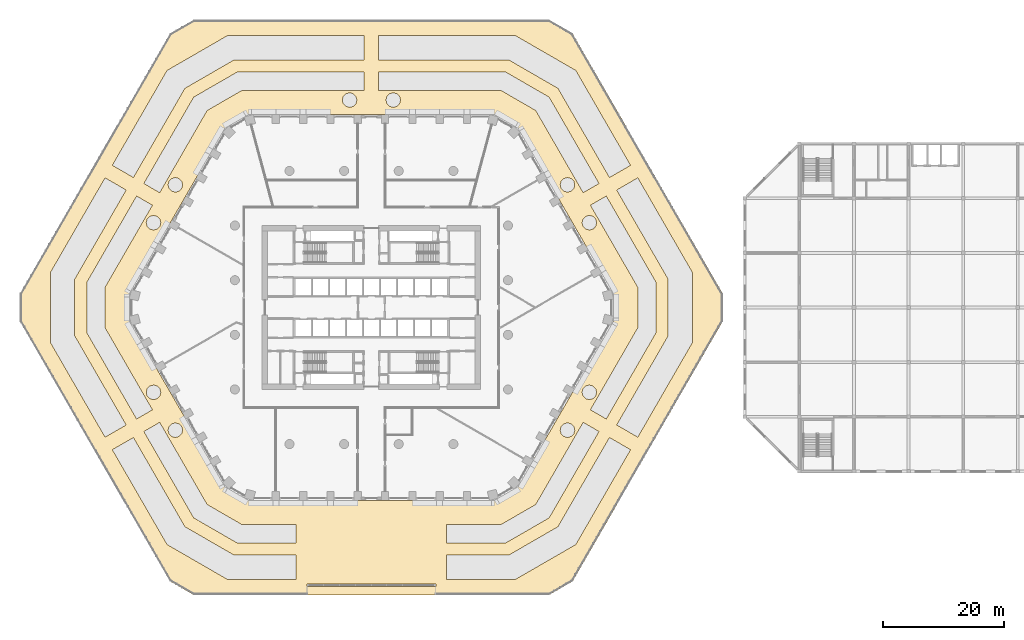
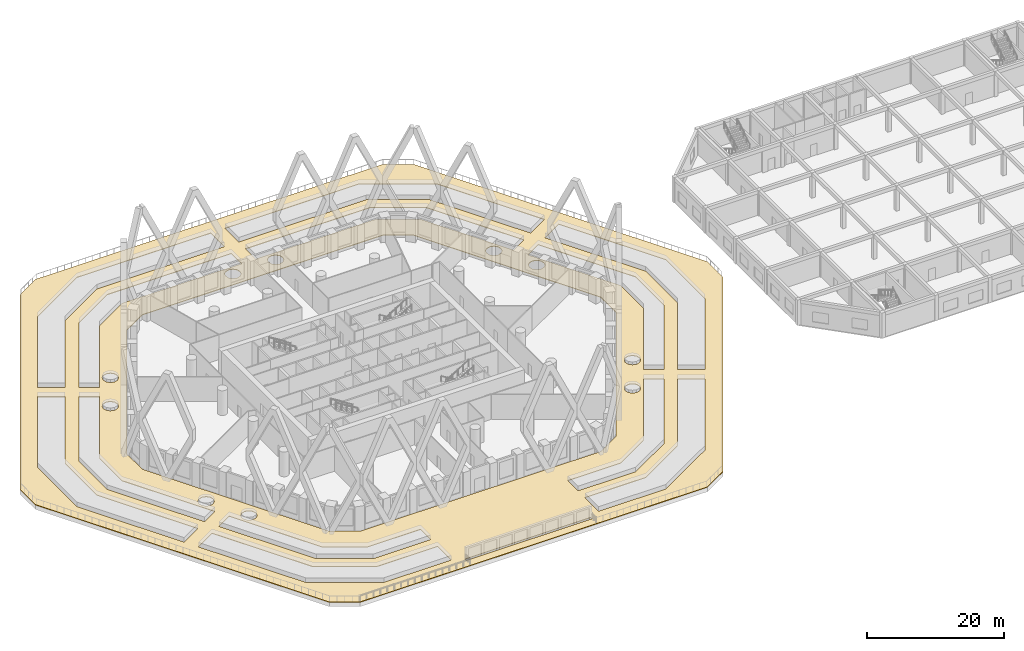
# One storey, part 20 of 27: 1 covering.
"""IFC4 building model written with IfcOpenShell, lengths in metres."""

from ifc_helpers import new_model, si_unit, direction, frame, origin, place, context, subcontext, project, spatial, polyline, outline, extrude, material, layer, layer_set, type_object, element, save


model = new_model("IFC4")

# Units and contexts
model_context = context("Model", 3, precision=1e-05, world=origin(), true_north=direction((0.0, 1.0)))
body_context = subcontext(model_context, "Body", "Model", "MODEL_VIEW")
ifc_project = project(units=[si_unit("LENGTHUNIT", "METRE"), si_unit("AREAUNIT", "SQUARE_METRE"), si_unit("VOLUMEUNIT", "CUBIC_METRE"), si_unit("PLANEANGLEUNIT", "RADIAN"), si_unit("MASSUNIT", "GRAM", prefix="KILO")], contexts=[model_context])

# Site, building, storey
site_placement = place(None, origin())
site = spatial("IfcSite", under=ifc_project, at=site_placement, CompositionType="ELEMENT")
building_placement = place(site_placement, origin())
building = spatial("IfcBuilding", under=site, at=building_placement, Name="Dhurran Vertical Campus", CompositionType="ELEMENT")
storey_placement = place(building_placement, frame((0.0, 0.0, 10.800048828125)))
storey = spatial("IfcBuildingStorey", under=building, at=storey_placement, Name="L02", CompositionType="ELEMENT", Elevation=10.800048828125)

# Covering
ifc_material = material(Name="Concrete C35/45", Category="concrete")
ifc_layer = layer(ifc_material, 0.10009765625)
ifc_layer_set = layer_set([ifc_layer], Name="Concrete C35/45")
covering_type = type_object("IfcCoveringType", Name="st-deck paving 100", PredefinedType="USERDEFINED", material=ifc_layer_set)
covering_placement = place(storey_placement, origin())
element("IfcCovering", 1, at=covering_placement, inside=storey, type_object=covering_type, Name="Raised garden paving", ObjectType="PAVING", PredefinedType="USERDEFINED", context=body_context, shape_type="SweptSolid", body=[
    extrude(outline(polyline([(29.25, -47.3681640625), (33.147216796875, -45.1181640625), (57.897216796875, -2.25), (57.897216796875, 2.25), (33.147216796875, 45.1181640625), (29.25, 47.3681640625), (-29.25, 47.3681640625), (-33.147216796875, 45.1181640625), (-57.897216796875, 2.25), (-57.897216796875, -2.25), (-33.147216796875, -45.1181640625), (-29.25, -47.3681640625), (29.25, -47.3681640625)]), holes=[polyline([(-24.147216796875, -29.52978515625), (-39.897216796875, -2.25), (-39.897216796875, 2.25), (-24.147216796875, 29.52978515625), (-20.25, 31.77978515625), (20.25, 31.77978515625), (24.147216796875, 29.52978515625), (39.897216796875, 2.25), (39.897216796875, -2.25), (24.147216796875, -29.52978515625), (20.25, -31.77978515625), (-20.25, -31.77978515625), (-24.147216796875, -29.52978515625)]), polyline([(-42.680419921875, -23.42919921875), (-39.21630859375, -21.42919921875), (-30.735595703125, -36.1181640625), (-22.66162109375, -40.77978515625), (-12.39990234375, -40.77978515625), (-12.39990234375, -44.77978515625), (-23.7333984375, -44.77978515625), (-33.663818359375, -39.04638671875), (-42.680419921875, -23.42919921875)]), polyline([(12.39990234375, -40.77978515625), (22.66162109375, -40.77978515625), (30.735595703125, -36.1181640625), (39.21630859375, -21.42919921875), (42.680419921875, -23.42919921875), (33.663818359375, -39.04638671875), (23.7333984375, -44.77978515625), (12.39990234375, -44.77978515625), (12.39990234375, -40.77978515625)]), polyline([(-27.0751953125, -32.4580078125), (-21.32177734375, -35.77978515625), (-12.39990234375, -35.77978515625), (-12.39990234375, -38.77978515625), (-22.125732421875, -38.77978515625), (-29.271484375, -34.654052734375), (-37.484375, -20.42919921875), (-34.88623046875, -18.92919921875), (-27.0751953125, -32.4580078125)]), polyline([(27.0751953125, -32.4580078125), (34.88623046875, -18.92919921875), (37.484375, -20.42919921875), (29.271484375, -34.654052734375), (22.125732421875, -38.77978515625), (12.39990234375, -38.77978515625), (12.39990234375, -35.77978515625), (21.32177734375, -35.77978515625), (27.0751953125, -32.4580078125)]), polyline([(-43.88037109375, -21.3505859375), (-52.897216796875, -5.7333984375), (-52.897216796875, 5.7333984375), (-43.88037109375, 21.3505859375), (-40.416259765625, 19.3505859375), (-48.897216796875, 4.66162109375), (-48.897216796875, -4.66162109375), (-40.416259765625, -19.3505859375), (-43.88037109375, -21.3505859375)]), polyline([(-46.897216796875, -4.125732421875), (-46.897216796875, 4.125732421875), (-38.684326171875, 18.3505859375), (-36.086181640625, 16.8505859375), (-43.897216796875, 3.32177734375), (-43.897216796875, -3.32177734375), (-36.086181640625, -16.8505859375), (-38.684326171875, -18.3505859375), (-46.897216796875, -4.125732421875)]), polyline([(46.897216796875, 4.125732421875), (46.897216796875, -4.125732421875), (38.684326171875, -18.3505859375), (36.086181640625, -16.8505859375), (43.897216796875, -3.32177734375), (43.897216796875, 3.32177734375), (36.086181640625, 16.8505859375), (38.684326171875, 18.3505859375), (46.897216796875, 4.125732421875)]), polyline([(52.897216796875, -5.7333984375), (43.88037109375, -21.3505859375), (40.416259765625, -19.3505859375), (48.897216796875, -4.66162109375), (48.897216796875, 4.66162109375), (40.416259765625, 19.3505859375), (43.88037109375, 21.3505859375), (52.897216796875, 5.7333984375), (52.897216796875, -5.7333984375)]), polyline([(-1.199951171875, 38.77978515625), (-1.199951171875, 35.77978515625), (-21.32177734375, 35.77978515625), (-27.0751953125, 32.4580078125), (-34.88623046875, 18.92919921875), (-37.484375, 20.42919921875), (-29.271484375, 34.654052734375), (-22.125732421875, 38.77978515625), (-1.199951171875, 38.77978515625)]), polyline([(34.88623046875, 18.92919921875), (27.0751953125, 32.4580078125), (21.32177734375, 35.77978515625), (1.199951171875, 35.77978515625), (1.199951171875, 38.77978515625), (22.125732421875, 38.77978515625), (29.271484375, 34.654052734375), (37.484375, 20.42919921875), (34.88623046875, 18.92919921875)]), polyline([(-22.66162109375, 40.77978515625), (-30.735595703125, 36.1181640625), (-39.21630859375, 21.42919921875), (-42.680419921875, 23.42919921875), (-33.663818359375, 39.04638671875), (-23.7333984375, 44.77978515625), (-1.199951171875, 44.77978515625), (-1.199951171875, 40.77978515625), (-22.66162109375, 40.77978515625)]), polyline([(22.66162109375, 40.77978515625), (1.199951171875, 40.77978515625), (1.199951171875, 44.77978515625), (23.7333984375, 44.77978515625), (33.663818359375, 39.04638671875), (42.680419921875, 23.42919921875), (39.21630859375, 21.42919921875), (30.735595703125, 36.1181640625), (22.66162109375, 40.77978515625)]), polyline([(4.199951171875, 33.140625), (3.60009765625, 32.979736328125), (3.0, 33.140625), (2.560791015625, 33.579833984375), (2.39990234375, 34.1796875), (2.560791015625, 34.77978515625), (3.0, 35.218994140625), (3.60009765625, 35.3798828125), (4.199951171875, 35.218994140625), (4.63916015625, 34.77978515625), (4.800048828125, 34.1796875), (4.63916015625, 33.579833984375), (4.199951171875, 33.140625)]), polyline([(-3.60009765625, 32.979736328125), (-4.199951171875, 33.140625), (-4.63916015625, 33.579833984375), (-4.800048828125, 34.1796875), (-4.63916015625, 34.77978515625), (-4.199951171875, 35.218994140625), (-3.60009765625, 35.3798828125), (-3.0, 35.218994140625), (-2.560791015625, 34.77978515625), (-2.39990234375, 34.1796875), (-2.560791015625, 33.579833984375), (-3.0, 33.140625), (-3.60009765625, 32.979736328125)]), polyline([(31.70068359375, -21.246826171875), (31.26123046875, -20.8076171875), (31.1005859375, -20.20751953125), (31.26123046875, -19.607666015625), (31.70068359375, -19.16845703125), (32.300537109375, -19.007568359375), (32.900634765625, -19.16845703125), (33.33984375, -19.607666015625), (33.50048828125, -20.20751953125), (33.33984375, -20.8076171875), (32.900634765625, -21.246826171875), (32.300537109375, -21.407470703125), (31.70068359375, -21.246826171875)]), polyline([(34.861328125, -14.572265625), (34.70068359375, -13.97216796875), (34.861328125, -13.372314453125), (35.300537109375, -12.932861328125), (35.900634765625, -12.772216796875), (36.50048828125, -12.932861328125), (36.939697265625, -13.372314453125), (37.1005859375, -13.97216796875), (36.939697265625, -14.572265625), (36.50048828125, -15.011474609375), (35.900634765625, -15.172119140625), (35.300537109375, -15.011474609375), (34.861328125, -14.572265625)]), polyline([(34.70068359375, 13.97216796875), (34.861328125, 14.572265625), (35.300537109375, 15.011474609375), (35.900634765625, 15.172119140625), (36.50048828125, 15.011474609375), (36.939697265625, 14.572265625), (37.1005859375, 13.97216796875), (36.939697265625, 13.372314453125), (36.50048828125, 12.932861328125), (35.900634765625, 12.772216796875), (35.300537109375, 12.932861328125), (34.861328125, 13.372314453125), (34.70068359375, 13.97216796875)]), polyline([(31.26123046875, 20.8076171875), (31.70068359375, 21.246826171875), (32.300537109375, 21.407470703125), (32.900634765625, 21.246826171875), (33.33984375, 20.8076171875), (33.50048828125, 20.20751953125), (33.33984375, 19.607666015625), (32.900634765625, 19.16845703125), (32.300537109375, 19.007568359375), (31.70068359375, 19.16845703125), (31.26123046875, 19.607666015625), (31.1005859375, 20.20751953125), (31.26123046875, 20.8076171875)]), polyline([(-32.900634765625, 21.246826171875), (-32.300537109375, 21.407470703125), (-31.70068359375, 21.246826171875), (-31.26123046875, 20.8076171875), (-31.1005859375, 20.20751953125), (-31.26123046875, 19.607666015625), (-31.70068359375, 19.16845703125), (-32.300537109375, 19.007568359375), (-32.900634765625, 19.16845703125), (-33.33984375, 19.607666015625), (-33.50048828125, 20.20751953125), (-33.33984375, 20.8076171875), (-32.900634765625, 21.246826171875)]), polyline([(-35.900634765625, 15.172119140625), (-35.300537109375, 15.011474609375), (-34.861328125, 14.572265625), (-34.70068359375, 13.97216796875), (-34.861328125, 13.372314453125), (-35.300537109375, 12.932861328125), (-35.900634765625, 12.772216796875), (-36.50048828125, 12.932861328125), (-36.939697265625, 13.372314453125), (-37.1005859375, 13.97216796875), (-36.939697265625, 14.572265625), (-36.50048828125, 15.011474609375), (-35.900634765625, 15.172119140625)]), polyline([(-35.300537109375, -12.932861328125), (-34.861328125, -13.372314453125), (-34.70068359375, -13.97216796875), (-34.861328125, -14.572265625), (-35.300537109375, -15.011474609375), (-35.900634765625, -15.172119140625), (-36.50048828125, -15.011474609375), (-36.939697265625, -14.572265625), (-37.1005859375, -13.97216796875), (-36.939697265625, -13.372314453125), (-36.50048828125, -12.932861328125), (-35.900634765625, -12.772216796875), (-35.300537109375, -12.932861328125)]), polyline([(-31.26123046875, -19.607666015625), (-31.1005859375, -20.20751953125), (-31.26123046875, -20.8076171875), (-31.70068359375, -21.246826171875), (-32.300537109375, -21.407470703125), (-32.900634765625, -21.246826171875), (-33.33984375, -20.8076171875), (-33.50048828125, -20.20751953125), (-33.33984375, -19.607666015625), (-32.900634765625, -19.16845703125), (-32.300537109375, -19.007568359375), (-31.70068359375, -19.16845703125), (-31.26123046875, -19.607666015625)]), polyline([(10.60009765625, -45.96826171875), (-10.60009765625, -45.96826171875), (-10.60009765625, -45.568359375), (10.60009765625, -45.568359375), (10.60009765625, -45.96826171875)])]), origin(), (0.0, 0.0, 1.0), 0.099853515625),
])

save(model, "model.ifc")
